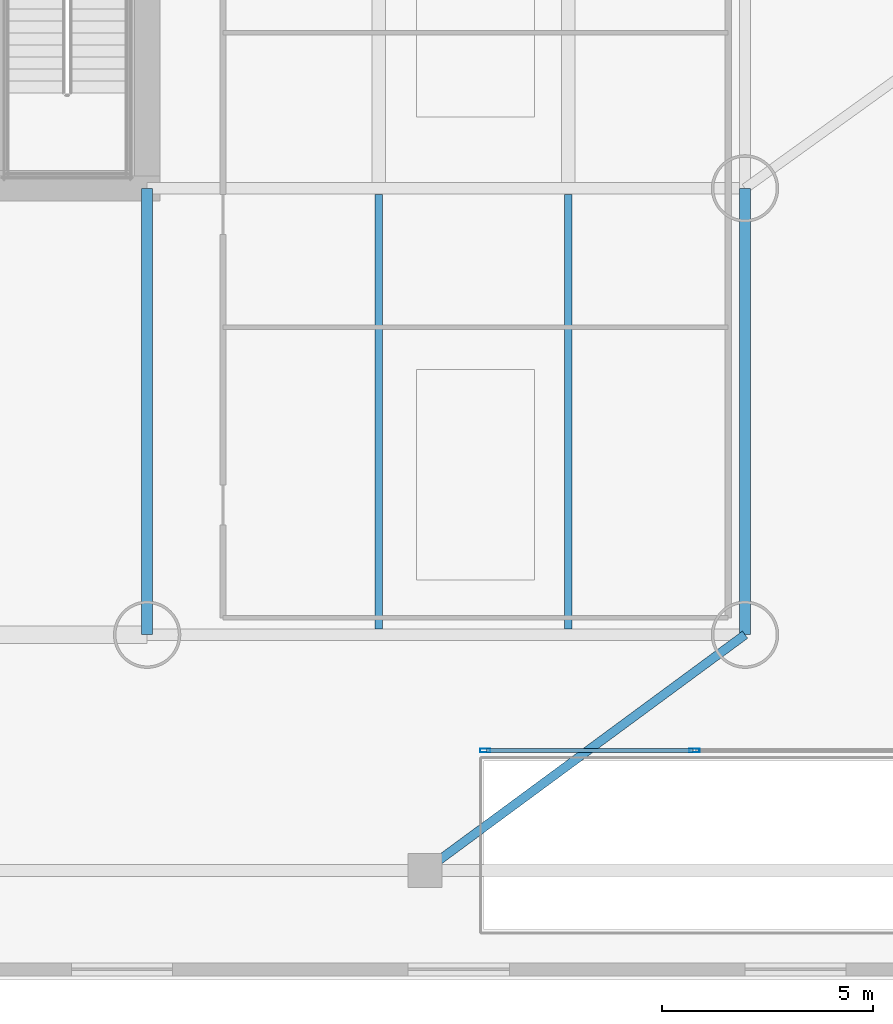
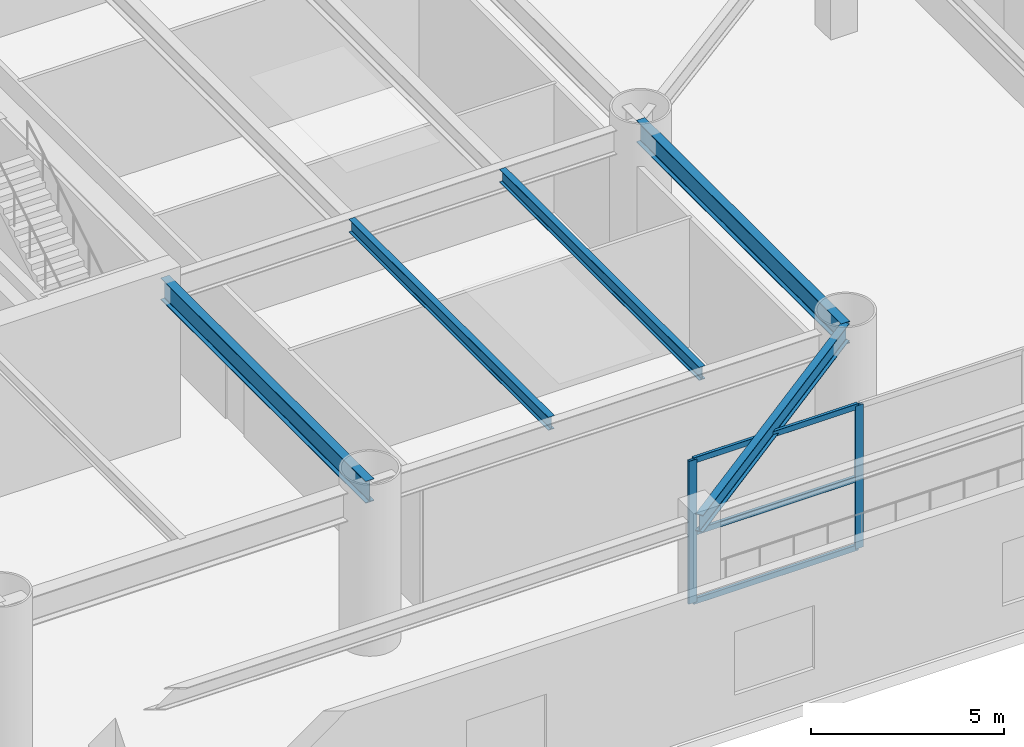
# One storey, part 2 of 16: 5 beams, 5 members, 1 element without a shape of its own.
"""IFC4 building model written with IfcOpenShell, lengths in metres."""

from ifc_helpers import new_model, si_unit, direction, frame, origin, origin_2d, place, context, subcontext, project, spatial, hollow_rectangle, i_section, extrude, material, layer, layer_set, material_profile, profile_set, type_object, element, aggregate, save


model = new_model("IFC4")

# Units and contexts
model_context = context("Model", 3, precision=1e-05, world=origin(), true_north=direction((0.0, 1.0)))
body_context = subcontext(model_context, "Body", "Model", "MODEL_VIEW")
ifc_project = project(units=[si_unit("LENGTHUNIT", "METRE"), si_unit("AREAUNIT", "SQUARE_METRE"), si_unit("VOLUMEUNIT", "CUBIC_METRE"), si_unit("PLANEANGLEUNIT", "RADIAN"), si_unit("MASSUNIT", "GRAM", prefix="KILO")], contexts=[model_context])

# Site, building, storey
site_placement = place(None, origin())
site = spatial("IfcSite", under=ifc_project, at=site_placement, CompositionType="ELEMENT")
building_placement = place(site_placement, origin())
building = spatial("IfcBuilding", under=site, at=building_placement, Name="Bramvorn Convention Spire", CompositionType="ELEMENT")
storey_placement = place(building_placement, frame((0.0, 0.0, 30.0)))
storey = spatial("IfcBuildingStorey", under=building, at=storey_placement, Name="L05", CompositionType="ELEMENT", Elevation=30.0)

# Beams
ifc_material_1 = material(Name="Steel CSA G40.21 Grade 350 (350W)", Category="steel")
ifc_material_profile_1 = material_profile(ifc_material_1, i_section(OverallWidth=0.180908203125, OverallDepth=0.4169921875, WebThickness=0.010986328125, FlangeThickness=0.018310546875, FilletRadius=0.01611328125, at=origin_2d()))
ifc_profile_set_1 = profile_set([ifc_material_profile_1], Name="Steel CSA G40.21 Grade 350 (350W) - W410X85")
beam_type_1 = type_object("IfcBeamType", Name="BM-W410X85", PredefinedType="JOIST", material=ifc_profile_set_1)
for number, where, z_axis, x_axis, name in (
    (1, (54.5, 8.340087890625, 4.79150390625), (0.0, 1.0, 0.0), (-1.0, 0.0, 0.0), "L05 side hall joist S-5"),
    (2, (59.0, 8.340087890625, 4.79150390625), (0.0, 1.0, 0.0), (-1.0, 0.0, 0.0), "L05 side hall joist S-6"),
):
    element("IfcBeam", number, at=place(storey_placement, frame(where, z_axis=z_axis, x_axis=x_axis)), inside=storey, type_object=beam_type_1, Name=name, PredefinedType="JOIST", context=body_context, shape_type="SweptSolid", body=[
        extrude(i_section(OverallWidth=0.180908203125, OverallDepth=0.4169921875, WebThickness=0.010986328125, FlangeThickness=0.018310546875, FilletRadius=0.01611328125, at=origin_2d()), origin(), (0.0, 0.0, 1.0), 10.31982421875),
    ])
ifc_material_profile_2 = material_profile(ifc_material_1, i_section(OverallWidth=0.2119140625, OverallDepth=0.5439453125, WebThickness=0.01318359375, FlangeThickness=0.021240234375, FilletRadius=0.01904296875, at=origin_2d()))
ifc_profile_set_2 = profile_set([ifc_material_profile_2], Name="Steel CSA G40.21 Grade 350 (350W) - W530X123")
beam_type_2 = type_object("IfcBeamType", Name="BM-W530X123", PredefinedType="BEAM", material=ifc_profile_set_2)
beam_placement = place(storey_placement, frame((55.60009765625, 2.60009765625, 4.72802734375), z_axis=(0.805057787445, 0.593196391488, 0.0), x_axis=(-0.593196391488, 0.805057787445, 0.0)))
element("IfcBeam", 3, at=beam_placement, inside=storey, type_object=beam_type_2, Name="L05 podium primary girder 30", PredefinedType="BEAM", context=body_context, shape_type="SweptSolid", body=[
    extrude(i_section(OverallWidth=0.2119140625, OverallDepth=0.5439453125, WebThickness=0.01318359375, FlangeThickness=0.021240234375, FilletRadius=0.01904296875, at=origin_2d()), origin(), (0.0, 0.0, 1.0), 9.440185546875),
])
ifc_material_profile_3 = material_profile(ifc_material_1, i_section(OverallWidth=0.256103515625, OverallDepth=0.693115234375, WebThickness=0.014404296875, FlangeThickness=0.023681640625, FilletRadius=0.02197265625, at=origin_2d()))
ifc_profile_set_3 = profile_set([ifc_material_profile_3], Name="Steel CSA G40.21 Grade 350 (350W) - W690X170")
beam_type_3 = type_object("IfcBeamType", Name="BM-W690X170", PredefinedType="BEAM", material=ifc_profile_set_3)
for number, where, z_axis, x_axis, name in (
    (4, (63.199951171875, 8.199951171875, 4.653564453125), (0.0, 1.0, 0.0), (-1.0, 0.0, 0.0), "L05 podium primary girder 15"),
    (5, (49.0, 8.199951171875, 4.653564453125), (0.0, 1.0, 0.0), (-1.0, 0.0, 0.0), "L05 podium primary girder 23"),
):
    element("IfcBeam", number, at=place(storey_placement, frame(where, z_axis=z_axis, x_axis=x_axis)), inside=storey, type_object=beam_type_3, Name=name, PredefinedType="BEAM", context=body_context, shape_type="SweptSolid", body=[
        extrude(i_section(OverallWidth=0.256103515625, OverallDepth=0.693115234375, WebThickness=0.014404296875, FlangeThickness=0.023681640625, FilletRadius=0.02197265625, at=origin_2d()), origin(), (0.0, 0.0, 1.0), 10.60009765625),
    ])

# Curtain wall, members
ifc_material_2 = material(Name="Anodised Bronze Unitised Curtain Wall", Category="aluminium")
ifc_layer = layer(ifc_material_2, 0.219970703125)
ifc_layer_set = layer_set([ifc_layer], Name="Anodised Bronze Unitised Curtain Wall - CW-POD-LANCET")
curtain_wall_type = type_object("IfcCurtainWallType", Name="CW-POD-LANCET", PredefinedType="USERDEFINED", material=ifc_layer_set)
curtain_wall_placement = place(storey_placement, origin())
curtain_wall = element("IfcCurtainWall", 6, at=curtain_wall_placement, inside=storey, type_object=curtain_wall_type, Name="L05 SE colonnade lancet curtain wall", ObjectType="UNITISED CURTAIN WALL", PredefinedType="USERDEFINED")
ifc_material_3 = material(Name="Anodised Bronze Aluminium 6063-T6", Category="aluminium")
ifc_material_profile_4 = material_profile(ifc_material_3, hollow_rectangle(XDim=0.090087890625, YDim=0.239990234375, WallThickness=0.00439453125, InnerFilletRadius=0.0009765625, OuterFilletRadius=0.00439453125, at=origin_2d()))
ifc_profile_set_4 = profile_set([ifc_material_profile_4], Name="Anodised Bronze Aluminium 6063-T6 - CWM90X240")
member_type_1 = type_object("IfcMemberType", Name="CW-MUL-220", PredefinedType="MULLION", material=ifc_profile_set_4)
member_1_placement = place(storey_placement, frame((57.030029296875, 5.449951171875, 0.0), z_axis=(0.0, 0.0, 1.0), x_axis=(0.0, 1.0, 0.0)))
member_1 = element("IfcMember", 7, at=member_1_placement, type_object=member_type_1, Name="CW1 mullion 1", PredefinedType="MULLION", context=body_context, shape_type="SweptSolid", body=[
    extrude(hollow_rectangle(XDim=0.090087890625, YDim=0.239990234375, WallThickness=0.00439453125, InnerFilletRadius=0.0009765625, OuterFilletRadius=0.00439453125, at=origin_2d()), origin(), (0.0, 0.0, 1.0), 4.510009765625),
])
member_2_placement = place(storey_placement, frame((62.0, 5.449951171875, 0.0), z_axis=(0.0, 0.0, 1.0), x_axis=(0.0, 1.0, 0.0)))
member_2 = element("IfcMember", 8, at=member_2_placement, type_object=member_type_1, Name="CW1 mullion 2", PredefinedType="MULLION", context=body_context, shape_type="SweptSolid", body=[
    extrude(hollow_rectangle(XDim=0.090087890625, YDim=0.239990234375, WallThickness=0.00439453125, InnerFilletRadius=0.0009765625, OuterFilletRadius=0.00439453125, at=origin_2d()), origin(), (0.0, 0.0, 1.0), 4.510009765625),
])
ifc_material_profile_5 = material_profile(ifc_material_3, hollow_rectangle(XDim=0.090087890625, YDim=0.179931640625, WallThickness=0.00439453125, InnerFilletRadius=0.0009765625, OuterFilletRadius=0.00439453125, at=origin_2d()))
ifc_profile_set_5 = profile_set([ifc_material_profile_5], Name="Anodised Bronze Aluminium 6063-T6 - CWT90X180")
member_type_2 = type_object("IfcMemberType", Name="CW-TRN-180", PredefinedType="USERDEFINED", material=ifc_profile_set_5)
member_3_placement = place(storey_placement, frame((57.06005859375, 5.449951171875, 0.030029296875), z_axis=(1.0, 0.0, 0.0), x_axis=(0.0, 1.0, 0.0)))
member_3 = element("IfcMember", 9, at=member_3_placement, type_object=member_type_2, Name="CW1 transom 1.1", ObjectType="TRANSOM", PredefinedType="USERDEFINED", context=body_context, shape_type="SweptSolid", body=[
    extrude(hollow_rectangle(XDim=0.090087890625, YDim=0.179931640625, WallThickness=0.00439453125, InnerFilletRadius=0.0009765625, OuterFilletRadius=0.00439453125, at=origin_2d()), origin(), (0.0, 0.0, 1.0), 4.909912109375),
])
member_4_placement = place(storey_placement, frame((57.06005859375, 5.449951171875, 2.199951171875), z_axis=(1.0, 0.0, 0.0), x_axis=(0.0, 1.0, 0.0)))
member_4 = element("IfcMember", 10, at=member_4_placement, type_object=member_type_2, Name="CW1 transom 1.2", ObjectType="TRANSOM", PredefinedType="USERDEFINED", context=body_context, shape_type="SweptSolid", body=[
    extrude(hollow_rectangle(XDim=0.090087890625, YDim=0.179931640625, WallThickness=0.00439453125, InnerFilletRadius=0.0009765625, OuterFilletRadius=0.00439453125, at=origin_2d()), origin(), (0.0, 0.0, 1.0), 4.909912109375),
])
member_5_placement = place(storey_placement, frame((57.06005859375, 5.449951171875, 4.47998046875), z_axis=(1.0, 0.0, 0.0), x_axis=(0.0, 1.0, 0.0)))
member_5 = element("IfcMember", 11, at=member_5_placement, type_object=member_type_2, Name="CW1 transom 1.3", ObjectType="TRANSOM", PredefinedType="USERDEFINED", context=body_context, shape_type="SweptSolid", body=[
    extrude(hollow_rectangle(XDim=0.090087890625, YDim=0.179931640625, WallThickness=0.00439453125, InnerFilletRadius=0.0009765625, OuterFilletRadius=0.00439453125, at=origin_2d()), origin(), (0.0, 0.0, 1.0), 4.909912109375),
])
aggregate(curtain_wall, [member_1, member_2, member_3, member_4, member_5])

save(model, "model.ifc")
